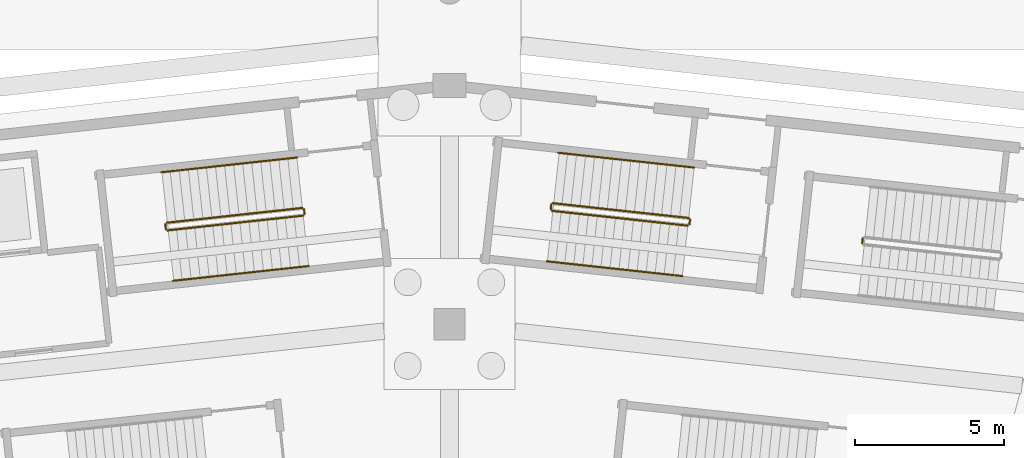
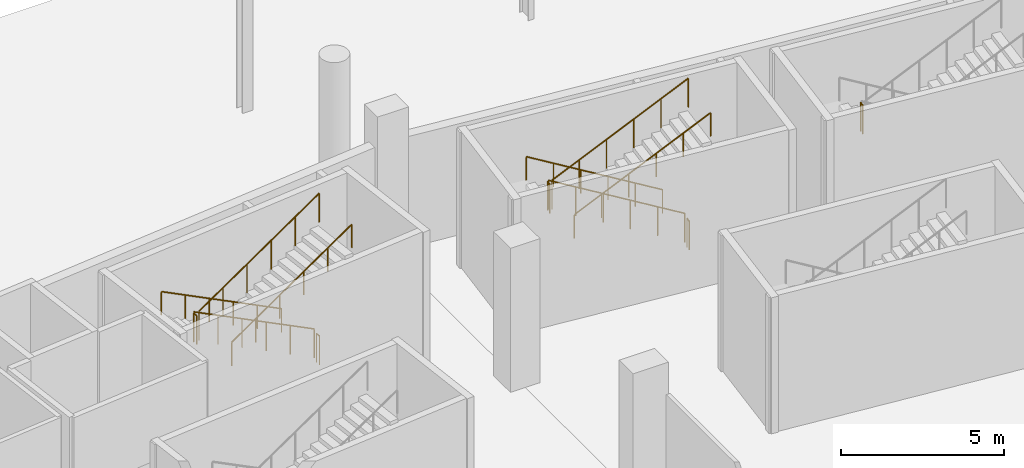
# One storey, part 95 of 103: 13 railings.
"""IFC4 building model written with IfcOpenShell, lengths in metres."""

from ifc_helpers import new_model, si_unit, direction, frame, origin, origin_2d, place, context, subcontext, project, spatial, circle, extrude, material, type_object, element, save


model = new_model("IFC4")

# Units and contexts
model_context = context("Model", 3, precision=1e-05, world=origin(), true_north=direction((0.0, 1.0)))
body_context = subcontext(model_context, "Body", "Model", "MODEL_VIEW")
ifc_project = project(units=[si_unit("LENGTHUNIT", "METRE"), si_unit("AREAUNIT", "SQUARE_METRE"), si_unit("VOLUMEUNIT", "CUBIC_METRE"), si_unit("PLANEANGLEUNIT", "RADIAN"), si_unit("MASSUNIT", "GRAM", prefix="KILO")], contexts=[model_context])

# Site, building, storey
site_placement = place(None, origin())
site = spatial("IfcSite", under=ifc_project, at=site_placement, CompositionType="ELEMENT")
building_placement = place(site_placement, origin())
building = spatial("IfcBuilding", under=site, at=building_placement, Name="Zevraka Park Crest Stadium", CompositionType="ELEMENT")
storey_placement = place(building_placement, origin())
storey = spatial("IfcBuildingStorey", under=building, at=storey_placement, Name="L00", CompositionType="ELEMENT", Elevation=0.0)

# Railings
ifc_material_1 = material(Name="Powder-coated tubular steel stairwell guard", Category="steel")
railing_type_1 = type_object("IfcRailingType", Name="GR03", PredefinedType="GUARDRAIL", material=ifc_material_1)
railing_1_placement = place(storey_placement, frame((125.85009765625, 162.172607421875, 2.699951171875)))
element("IfcRailing", 1, at=railing_1_placement, inside=storey, type_object=railing_type_1, Name="L00 ST06 stair guard 2", PredefinedType="GUARDRAIL", context=body_context, shape_type="SweptSolid", body=[
    extrude(circle(Radius=0.02392578125, at=origin_2d()), frame((0.0, 0.0, 1.076171875), z_axis=(-0.108255734054, -0.994123078921, 0.0), x_axis=(0.994123078921, -0.108255734054, 0.0)), (0.0, 0.0, 1.0), 0.16015625),
    extrude(circle(Radius=0.02099609375, at=origin_2d()), origin(), (0.0, 0.0, 1.0), 1.052001953125),
    extrude(circle(Radius=0.02099609375, at=origin_2d()), frame((-0.017333984375, -0.1591796875, 0.0)), (0.0, 0.0, 1.0), 1.052001953125),
])
railing_2_placement = place(storey_placement, frame((107.067138671875, 163.19384765625, 0.168701171875)))
element("IfcRailing", 2, at=railing_2_placement, inside=storey, type_object=railing_type_1, Name="L00 ST07 stair guard 1", PredefinedType="GUARDRAIL", context=body_context, shape_type="SweptSolid", body=[
    extrude(circle(Radius=0.02392578125, at=origin_2d()), frame((0.0, 0.0, 1.076171875), z_axis=(-0.869861004761, -0.094695266394, 0.484122545352), x_axis=(0.108223136073, -0.994126628161, 0.0)), (0.0, 0.0, 1.0), 5.228515625),
    extrude(circle(Radius=0.02099609375, at=origin_2d()), origin(), (0.0, 0.0, 1.0), 1.052001953125),
    extrude(circle(Radius=0.02099609375, at=origin_2d()), frame((-0.90966796875, -0.09912109375, 0.50634765625)), (0.0, 0.0, 1.0), 1.052001953125),
    extrude(circle(Radius=0.02099609375, at=origin_2d()), frame((-1.8193359375, -0.197998046875, 1.012451171875)), (0.0, 0.0, 1.0), 1.052001953125),
    extrude(circle(Radius=0.02099609375, at=origin_2d()), frame((-2.728759765625, -0.297119140625, 1.518798828125)), (0.0, 0.0, 1.0), 1.052001953125),
    extrude(circle(Radius=0.02099609375, at=origin_2d()), frame((-3.638427734375, -0.39599609375, 2.02490234375)), (0.0, 0.0, 1.0), 1.052001953125),
    extrude(circle(Radius=0.02099609375, at=origin_2d()), frame((-4.548095703125, -0.4951171875, 2.53125)), (0.0, 0.0, 1.0), 1.052001953125),
])
railing_3_placement = place(storey_placement, frame((102.474609375, 162.6435546875, 2.699951171875)))
element("IfcRailing", 3, at=railing_3_placement, inside=storey, type_object=railing_type_1, Name="L00 ST07 stair guard 2", PredefinedType="GUARDRAIL", context=body_context, shape_type="SweptSolid", body=[
    extrude(circle(Radius=0.02392578125, at=origin_2d()), frame((0.0, 0.0, 1.076171875), z_axis=(0.108255734054, -0.994123078921, 0.0), x_axis=(0.994123078921, 0.108255734054, 0.0)), (0.0, 0.0, 1.0), 0.16015625),
    extrude(circle(Radius=0.02099609375, at=origin_2d()), origin(), (0.0, 0.0, 1.0), 1.052001953125),
    extrude(circle(Radius=0.02099609375, at=origin_2d()), frame((0.017333984375, -0.1591796875, 0.0)), (0.0, 0.0, 1.0), 1.052001953125),
])
railing_4_placement = place(storey_placement, frame((102.547119140625, 162.440185546875, 2.86865234375)))
element("IfcRailing", 4, at=railing_4_placement, inside=storey, type_object=railing_type_1, Name="L00 ST07 stair guard 3", PredefinedType="GUARDRAIL", context=body_context, shape_type="SweptSolid", body=[
    extrude(circle(Radius=0.02392578125, at=origin_2d()), frame((0.0, 0.0, 1.076171875), z_axis=(0.869861004761, 0.094695266394, 0.484122545352), x_axis=(-0.108223136073, 0.994126628161, 0.0)), (0.0, 0.0, 1.0), 5.228515625),
    extrude(circle(Radius=0.02099609375, at=origin_2d()), origin(), (0.0, 0.0, 1.0), 1.052001953125),
    extrude(circle(Radius=0.02099609375, at=origin_2d()), frame((0.90966796875, 0.09912109375, 0.50634765625)), (0.0, 0.0, 1.0), 1.052001953125),
    extrude(circle(Radius=0.02099609375, at=origin_2d()), frame((1.8193359375, 0.197998046875, 1.012451171875)), (0.0, 0.0, 1.0), 1.052001953125),
    extrude(circle(Radius=0.02099609375, at=origin_2d()), frame((2.728759765625, 0.297119140625, 1.518798828125)), (0.0, 0.0, 1.0), 1.052001953125),
    extrude(circle(Radius=0.02099609375, at=origin_2d()), frame((3.638427734375, 0.39599609375, 2.02490234375)), (0.0, 0.0, 1.0), 1.052001953125),
    extrude(circle(Radius=0.02099609375, at=origin_2d()), frame((4.548095703125, 0.4951171875, 2.53125)), (0.0, 0.0, 1.0), 1.052001953125),
])
railing_5_placement = place(storey_placement, frame((107.1220703125, 163.1494140625, 0.0)))
element("IfcRailing", 5, at=railing_5_placement, inside=storey, type_object=railing_type_1, Name="L00 ST07 stair guard 4", PredefinedType="GUARDRAIL", context=body_context, shape_type="SweptSolid", body=[
    extrude(circle(Radius=0.02392578125, at=origin_2d()), frame((0.0, 0.0, 1.076171875), z_axis=(0.108420072245, -0.994105169454, 0.0), x_axis=(0.994105169454, 0.108420072245, 0.0)), (0.0, 0.0, 1.0), 0.159912109375),
    extrude(circle(Radius=0.02099609375, at=origin_2d()), origin(), (0.0, 0.0, 1.0), 1.052001953125),
    extrude(circle(Radius=0.02099609375, at=origin_2d()), frame((0.017333984375, -0.158935546875, 0.0)), (0.0, 0.0, 1.0), 1.052001953125),
])
railing_6_placement = place(storey_placement, frame((120.015380859375, 162.85791015625, 0.168701171875)))
element("IfcRailing", 6, at=railing_6_placement, inside=storey, type_object=railing_type_1, Name="L00 ST26 stair guard 1", PredefinedType="GUARDRAIL", context=body_context, shape_type="SweptSolid", body=[
    extrude(circle(Radius=0.02392578125, at=origin_2d()), frame((0.0, 0.0, 1.076171875), z_axis=(-0.869864850097, 0.094648990882, 0.48412468548), x_axis=(-0.108170396169, -0.994132368145, 0.0)), (0.0, 0.0, 1.0), 5.228515625),
    extrude(circle(Radius=0.02099609375, at=origin_2d()), origin(), (0.0, 0.0, 1.0), 1.052001953125),
    extrude(circle(Radius=0.02099609375, at=origin_2d()), frame((-0.90966796875, 0.098876953125, 0.50634765625)), (0.0, 0.0, 1.0), 1.052001953125),
    extrude(circle(Radius=0.02099609375, at=origin_2d()), frame((-1.8193359375, 0.197998046875, 1.012451171875)), (0.0, 0.0, 1.0), 1.052001953125),
    extrude(circle(Radius=0.02099609375, at=origin_2d()), frame((-2.728759765625, 0.296875, 1.518798828125)), (0.0, 0.0, 1.0), 1.052001953125),
    extrude(circle(Radius=0.02099609375, at=origin_2d()), frame((-3.638427734375, 0.39599609375, 2.02490234375)), (0.0, 0.0, 1.0), 1.052001953125),
    extrude(circle(Radius=0.02099609375, at=origin_2d()), frame((-4.548095703125, 0.494873046875, 2.53125)), (0.0, 0.0, 1.0), 1.052001953125),
])
railing_7_placement = place(storey_placement, frame((115.412109375, 163.30859375, 2.699951171875)))
element("IfcRailing", 7, at=railing_7_placement, inside=storey, type_object=railing_type_1, Name="L00 ST26 stair guard 2", PredefinedType="GUARDRAIL", context=body_context, shape_type="SweptSolid", body=[
    extrude(circle(Radius=0.02392578125, at=origin_2d()), frame((0.0, 0.0, 1.076171875), z_axis=(-0.108420072245, -0.994105169454, 0.0), x_axis=(0.994105169454, -0.108420072245, 0.0)), (0.0, 0.0, 1.0), 0.159912109375),
    extrude(circle(Radius=0.02099609375, at=origin_2d()), origin(), (0.0, 0.0, 1.0), 1.052001953125),
    extrude(circle(Radius=0.02099609375, at=origin_2d()), frame((-0.017333984375, -0.158935546875, 0.0)), (0.0, 0.0, 1.0), 1.052001953125),
])
railing_8_placement = place(storey_placement, frame((115.43896484375, 163.094482421875, 2.86865234375)))
element("IfcRailing", 8, at=railing_8_placement, inside=storey, type_object=railing_type_1, Name="L00 ST26 stair guard 3", PredefinedType="GUARDRAIL", context=body_context, shape_type="SweptSolid", body=[
    extrude(circle(Radius=0.02392578125, at=origin_2d()), frame((0.0, 0.0, 1.076171875), z_axis=(0.869861004761, -0.094695266394, 0.484122545352), x_axis=(0.108223136073, 0.994126628161, 0.0)), (0.0, 0.0, 1.0), 5.228515625),
    extrude(circle(Radius=0.02099609375, at=origin_2d()), origin(), (0.0, 0.0, 1.0), 1.052001953125),
    extrude(circle(Radius=0.02099609375, at=origin_2d()), frame((0.90966796875, -0.09912109375, 0.50634765625)), (0.0, 0.0, 1.0), 1.052001953125),
    extrude(circle(Radius=0.02099609375, at=origin_2d()), frame((1.8193359375, -0.197998046875, 1.012451171875)), (0.0, 0.0, 1.0), 1.052001953125),
    extrude(circle(Radius=0.02099609375, at=origin_2d()), frame((2.728759765625, -0.297119140625, 1.518798828125)), (0.0, 0.0, 1.0), 1.052001953125),
    extrude(circle(Radius=0.02099609375, at=origin_2d()), frame((3.638427734375, -0.39599609375, 2.02490234375)), (0.0, 0.0, 1.0), 1.052001953125),
    extrude(circle(Radius=0.02099609375, at=origin_2d()), frame((4.548095703125, -0.4951171875, 2.53125)), (0.0, 0.0, 1.0), 1.052001953125),
])
railing_9_placement = place(storey_placement, frame((120.0595703125, 162.802734375, 0.0)))
element("IfcRailing", 9, at=railing_9_placement, inside=storey, type_object=railing_type_1, Name="L00 ST26 stair guard 4", PredefinedType="GUARDRAIL", context=body_context, shape_type="SweptSolid", body=[
    extrude(circle(Radius=0.02392578125, at=origin_2d()), frame((0.0, 0.0, 1.076171875), z_axis=(-0.108255734054, -0.994123078921, 0.0), x_axis=(0.994123078921, -0.108255734054, 0.0)), (0.0, 0.0, 1.0), 0.16015625),
    extrude(circle(Radius=0.02099609375, at=origin_2d()), origin(), (0.0, 0.0, 1.0), 1.052001953125),
    extrude(circle(Radius=0.02099609375, at=origin_2d()), frame((-0.017333984375, -0.1591796875, 0.0)), (0.0, 0.0, 1.0), 1.052001953125),
])
ifc_material_2 = material(Name="Brushed stainless steel continuous handrail", Category="steel")
railing_type_2 = type_object("IfcRailingType", Name="HR01", PredefinedType="HANDRAIL", material=ifc_material_2)
railing_10_placement = place(storey_placement, frame((106.883056640625, 164.8837890625, 0.168701171875)))
element("IfcRailing", 10, at=railing_10_placement, inside=storey, type_object=railing_type_2, Name="L00 ST07 stair handrail 1", PredefinedType="HANDRAIL", context=body_context, shape_type="SweptSolid", body=[
    extrude(circle(Radius=0.02392578125, at=origin_2d()), frame((0.0, 0.0, 0.8759765625), z_axis=(-0.869861004761, -0.094695266394, 0.484122545352), x_axis=(0.108223136073, -0.994126628161, 0.0)), (0.0, 0.0, 1.0), 5.228515625),
    extrude(circle(Radius=0.02099609375, at=origin_2d()), origin(), (0.0, 0.0, 1.0), 0.851806640625),
    extrude(circle(Radius=0.02099609375, at=origin_2d()), frame((-0.90966796875, -0.09912109375, 0.50634765625)), (0.0, 0.0, 1.0), 0.851806640625),
    extrude(circle(Radius=0.02099609375, at=origin_2d()), frame((-1.8193359375, -0.197998046875, 1.012451171875)), (0.0, 0.0, 1.0), 0.851806640625),
    extrude(circle(Radius=0.02099609375, at=origin_2d()), frame((-2.728759765625, -0.297119140625, 1.518798828125)), (0.0, 0.0, 1.0), 0.851806640625),
    extrude(circle(Radius=0.02099609375, at=origin_2d()), frame((-3.638427734375, -0.39599609375, 2.02490234375)), (0.0, 0.0, 1.0), 0.851806640625),
    extrude(circle(Radius=0.02099609375, at=origin_2d()), frame((-4.548095703125, -0.4951171875, 2.53125)), (0.0, 0.0, 1.0), 0.851806640625),
])
railing_11_placement = place(storey_placement, frame((102.73095703125, 160.750244140625, 2.86865234375)))
element("IfcRailing", 11, at=railing_11_placement, inside=storey, type_object=railing_type_2, Name="L00 ST07 stair handrail 2", PredefinedType="HANDRAIL", context=body_context, shape_type="SweptSolid", body=[
    extrude(circle(Radius=0.02392578125, at=origin_2d()), frame((0.0, 0.0, 0.8759765625), z_axis=(0.869861004761, 0.094695266394, 0.484122545352), x_axis=(-0.108223136073, 0.994126628161, 0.0)), (0.0, 0.0, 1.0), 5.228515625),
    extrude(circle(Radius=0.02099609375, at=origin_2d()), origin(), (0.0, 0.0, 1.0), 0.851806640625),
    extrude(circle(Radius=0.02099609375, at=origin_2d()), frame((0.90966796875, 0.09912109375, 0.50634765625)), (0.0, 0.0, 1.0), 0.851806640625),
    extrude(circle(Radius=0.02099609375, at=origin_2d()), frame((1.8193359375, 0.197998046875, 1.012451171875)), (0.0, 0.0, 1.0), 0.851806640625),
    extrude(circle(Radius=0.02099609375, at=origin_2d()), frame((2.728759765625, 0.297119140625, 1.518798828125)), (0.0, 0.0, 1.0), 0.851806640625),
    extrude(circle(Radius=0.02099609375, at=origin_2d()), frame((3.638427734375, 0.39599609375, 2.02490234375)), (0.0, 0.0, 1.0), 0.851806640625),
    extrude(circle(Radius=0.02099609375, at=origin_2d()), frame((4.548095703125, 0.4951171875, 2.53125)), (0.0, 0.0, 1.0), 0.851806640625),
])
railing_12_placement = place(storey_placement, frame((120.19921875, 164.5478515625, 0.168701171875)))
element("IfcRailing", 12, at=railing_12_placement, inside=storey, type_object=railing_type_2, Name="L00 ST26 stair handrail 1", PredefinedType="HANDRAIL", context=body_context, shape_type="SweptSolid", body=[
    extrude(circle(Radius=0.02392578125, at=origin_2d()), frame((0.0, 0.0, 0.8759765625), z_axis=(-0.869861004761, 0.094695266394, 0.484122545352), x_axis=(-0.108223136073, -0.994126628161, 0.0)), (0.0, 0.0, 1.0), 5.228515625),
    extrude(circle(Radius=0.02099609375, at=origin_2d()), origin(), (0.0, 0.0, 1.0), 0.851806640625),
    extrude(circle(Radius=0.02099609375, at=origin_2d()), frame((-0.90966796875, 0.09912109375, 0.50634765625)), (0.0, 0.0, 1.0), 0.851806640625),
    extrude(circle(Radius=0.02099609375, at=origin_2d()), frame((-1.8193359375, 0.197998046875, 1.012451171875)), (0.0, 0.0, 1.0), 0.851806640625),
    extrude(circle(Radius=0.02099609375, at=origin_2d()), frame((-2.728759765625, 0.297119140625, 1.518798828125)), (0.0, 0.0, 1.0), 0.851806640625),
    extrude(circle(Radius=0.02099609375, at=origin_2d()), frame((-3.638427734375, 0.39599609375, 2.02490234375)), (0.0, 0.0, 1.0), 0.851806640625),
    extrude(circle(Radius=0.02099609375, at=origin_2d()), frame((-4.548095703125, 0.4951171875, 2.53125)), (0.0, 0.0, 1.0), 0.851806640625),
])
railing_13_placement = place(storey_placement, frame((115.255126953125, 161.404296875, 2.86865234375)))
element("IfcRailing", 13, at=railing_13_placement, inside=storey, type_object=railing_type_2, Name="L00 ST26 stair handrail 2", PredefinedType="HANDRAIL", context=body_context, shape_type="SweptSolid", body=[
    extrude(circle(Radius=0.02392578125, at=origin_2d()), frame((0.0, 0.0, 0.8759765625), z_axis=(0.869864850097, -0.094648990882, 0.48412468548), x_axis=(0.108170396169, 0.994132368145, 0.0)), (0.0, 0.0, 1.0), 5.228515625),
    extrude(circle(Radius=0.02099609375, at=origin_2d()), origin(), (0.0, 0.0, 1.0), 0.851806640625),
    extrude(circle(Radius=0.02099609375, at=origin_2d()), frame((0.90966796875, -0.098876953125, 0.50634765625)), (0.0, 0.0, 1.0), 0.851806640625),
    extrude(circle(Radius=0.02099609375, at=origin_2d()), frame((1.8193359375, -0.197998046875, 1.012451171875)), (0.0, 0.0, 1.0), 0.851806640625),
    extrude(circle(Radius=0.02099609375, at=origin_2d()), frame((2.728759765625, -0.296875, 1.518798828125)), (0.0, 0.0, 1.0), 0.851806640625),
    extrude(circle(Radius=0.02099609375, at=origin_2d()), frame((3.638427734375, -0.39599609375, 2.02490234375)), (0.0, 0.0, 1.0), 0.851806640625),
    extrude(circle(Radius=0.02099609375, at=origin_2d()), frame((4.548095703125, -0.494873046875, 2.53125)), (0.0, 0.0, 1.0), 0.851806640625),
])

save(model, "model.ifc")
